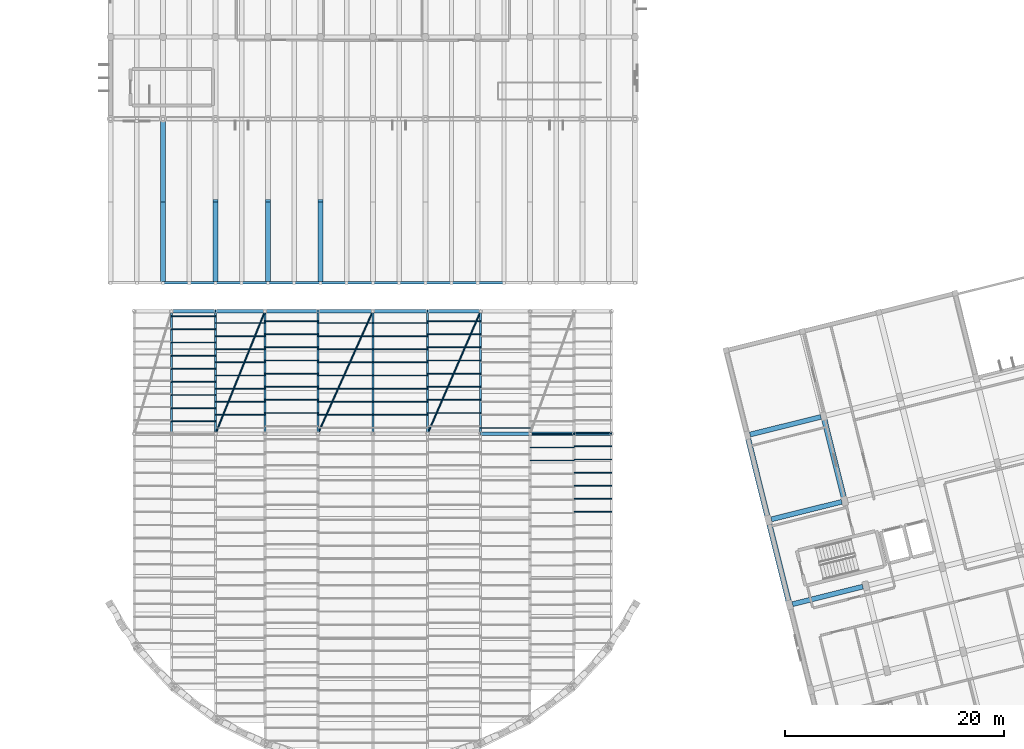
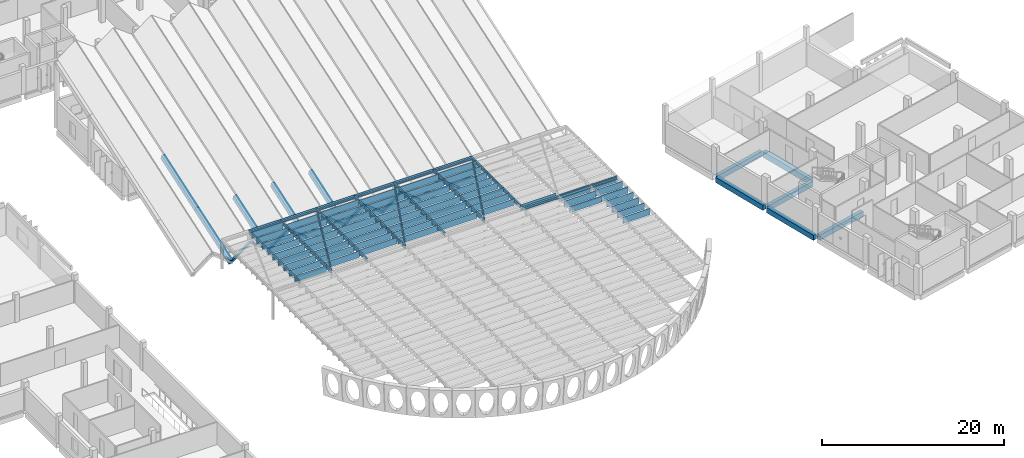
# One storey, part 15 of 47: 76 members, 27 beams.
"""IFC4 building model written with IfcOpenShell, lengths in metres."""

from ifc_helpers import new_model, si_unit, direction, frame, origin, origin_2d, place, context, subcontext, project, spatial, rectangle, hollow_rectangle, hollow_circle, i_section, extrude, material, material_profile, profile_set, type_object, element, save


model = new_model("IFC4")

# Units and contexts
model_context = context("Model", 3, precision=1e-05, world=origin(), true_north=direction((0.0, 1.0)))
body_context = subcontext(model_context, "Body", "Model", "MODEL_VIEW")
ifc_project = project(units=[si_unit("LENGTHUNIT", "METRE"), si_unit("AREAUNIT", "SQUARE_METRE"), si_unit("VOLUMEUNIT", "CUBIC_METRE"), si_unit("PLANEANGLEUNIT", "RADIAN"), si_unit("MASSUNIT", "GRAM", prefix="KILO")], contexts=[model_context])

# Site, building, storey
site_placement = place(None, origin())
site = spatial("IfcSite", under=ifc_project, at=site_placement, CompositionType="ELEMENT")
building_placement = place(site_placement, origin())
building = spatial("IfcBuilding", under=site, at=building_placement, Name="Mawjan Specialist Oncology Clinic", CompositionType="ELEMENT")
storey_placement = place(building_placement, frame((0.0, 0.0, 9.5)))
storey = spatial("IfcBuildingStorey", under=building, at=storey_placement, Name="L02", CompositionType="ELEMENT", Elevation=9.5)

# Beams
ifc_material_1 = material(Name="Concrete C40/50", Category="concrete")
ifc_material_profile_1 = material_profile(ifc_material_1, rectangle(XDim=0.449951171875, YDim=0.699951171875, at=origin_2d()), Name="RC BM 450x700", Category="concrete")
ifc_profile_set_1 = profile_set([ifc_material_profile_1], Name="Concrete C40/50")
beam_type_1 = type_object("IfcBeamType", Name="BM-450x700", PredefinedType="BEAM", material=ifc_profile_set_1)
beam_1_placement = place(storey_placement, frame((122.40576171875, 16.393798828125, -0.64990234375), z_axis=(0.970302579357, 0.241894407734, 0.0), x_axis=(-0.241894407734, 0.970302579357, 0.0)))
element("IfcBeam", 1, at=beam_1_placement, inside=storey, type_object=beam_type_1, Name="L02 Collector Beam BM-L02-0858", PredefinedType="BEAM", context=body_context, shape_type="SweptSolid", body=[
    extrude(rectangle(XDim=0.449951171875, YDim=0.699951171875, at=origin_2d()), origin(), (0.0, 0.0, 1.0), 6.6298828125),
])
beam_2_placement = place(storey_placement, frame((120.470458984375, 24.156005859375, -0.64990234375), z_axis=(0.970293935913, 0.241929076241, 0.0), x_axis=(-0.241929076241, 0.970293935913, 0.0)))
element("IfcBeam", 2, at=beam_2_placement, inside=storey, type_object=beam_type_1, Name="L02 Collector Beam BM-L02-0862", PredefinedType="BEAM", context=body_context, shape_type="SweptSolid", body=[
    extrude(rectangle(XDim=0.449951171875, YDim=0.699951171875, at=origin_2d()), origin(), (0.0, 0.0, 1.0), 6.630126953125),
])
beam_3_placement = place(storey_placement, frame((118.5107421875, 31.912353515625, -0.64990234375), z_axis=(0.970299236251, 0.241907817422, 0.0), x_axis=(-0.241907817422, 0.970299236251, 0.0)))
element("IfcBeam", 3, at=beam_3_placement, inside=storey, type_object=beam_type_1, Name="L02 Collector Beam BM-L02-0866", PredefinedType="BEAM", context=body_context, shape_type="SweptSolid", body=[
    extrude(rectangle(XDim=0.449951171875, YDim=0.699951171875, at=origin_2d()), origin(), (0.0, 0.0, 1.0), 6.68017578125),
])
ifc_material_2 = material(Name="Concrete C45/55", Category="concrete")
ifc_material_profile_2 = material_profile(ifc_material_2, rectangle(XDim=0.5, YDim=0.800048828125, at=origin_2d()), Name="RC BM 500x800", Category="concrete")
ifc_profile_set_2 = profile_set([ifc_material_profile_2], Name="Concrete C45/55")
beam_type_2 = type_object("IfcBeamType", Name="BM-500x800", PredefinedType="BEAM", material=ifc_profile_set_2)
beam_4_placement = place(storey_placement, frame((127.111083984375, 26.10546875, -0.699951171875), z_axis=(-0.241911431445, 0.970298335223, 0.0), x_axis=(-0.970298335223, -0.241911431445, 0.0)))
element("IfcBeam", 4, at=beam_4_placement, inside=storey, type_object=beam_type_2, Name="L02 Collector Beam BM-L02-0879", PredefinedType="BEAM", context=body_context, shape_type="SweptSolid", body=[
    extrude(rectangle(XDim=0.5, YDim=0.800048828125, at=origin_2d()), origin(), (0.0, 0.0, 1.0), 7.455078125),
])

# Members
ifc_material_3 = material(Name="Structural steel S355", Category="steel")
ifc_material_profile_3 = material_profile(ifc_material_3, hollow_circle(Radius=0.084228515625, WallThickness=0.008056640625, at=origin_2d()), Name="CHS 168.3x8", Category="steel")
ifc_profile_set_3 = profile_set([ifc_material_profile_3], Name="Structural steel S355")
member_type_1 = type_object("IfcMemberType", Name="BR-168", PredefinedType="BRACE", material=ifc_profile_set_3)
member_1_placement = place(storey_placement, frame((69.611328125, 32.0, 3.77490234375), z_axis=(0.374229411816, 0.927336156597, 0.0), x_axis=(-0.927336156597, 0.374229411816, 0.0)))
element("IfcMember", 5, at=member_1_placement, inside=storey, type_object=member_type_1, Name="Canopy Wind Brace CB-03", PredefinedType="BRACE", context=body_context, shape_type="SweptSolid", body=[
    extrude(hollow_circle(Radius=0.084228515625, WallThickness=0.008056640625, at=origin_2d()), origin(), (0.0, 0.0, 1.0), 12.07763671875),
])
member_2_placement = place(storey_placement, frame((78.981689453125, 32.0, 3.77490234375), z_axis=(0.408895967786, 0.912581003269, 0.0), x_axis=(-0.912581003269, 0.408895967786, 0.0)))
element("IfcMember", 6, at=member_2_placement, inside=storey, type_object=member_type_1, Name="Canopy Wind Brace CB-05", PredefinedType="BRACE", context=body_context, shape_type="SweptSolid", body=[
    extrude(hollow_circle(Radius=0.084228515625, WallThickness=0.008056640625, at=origin_2d()), origin(), (0.0, 0.0, 1.0), 12.27294921875),
])
member_3_placement = place(storey_placement, frame((89.018310546875, 32.0, 3.77490234375), z_axis=(0.397419374995, 0.917637096231, 0.0), x_axis=(-0.917637096231, 0.397419374995, 0.0)))
element("IfcMember", 7, at=member_3_placement, inside=storey, type_object=member_type_1, Name="Canopy Wind Brace CB-07", PredefinedType="BRACE", context=body_context, shape_type="SweptSolid", body=[
    extrude(hollow_circle(Radius=0.084228515625, WallThickness=0.008056640625, at=origin_2d()), origin(), (0.0, 0.0, 1.0), 12.205322265625),
])
ifc_material_4 = material(Name="Structural steel S355", Category="steel")
ifc_material_profile_4 = material_profile(ifc_material_4, hollow_rectangle(XDim=0.080078125, YDim=0.85009765625, WallThickness=0.006103515625, at=origin_2d()), Name="LOUVRE 850x80x6", Category="steel")
ifc_profile_set_4 = profile_set([ifc_material_profile_4], Name="Structural steel S355")
member_type_2 = type_object("IfcMemberType", Name="LV-850", PredefinedType="PURLIN", material=ifc_profile_set_4)
for number, where, z_axis, x_axis, name in (
    (8, (65.573486328125, 33.13525390625, 3.47509765625), (1.0, 0.0, 0.0), (0.0, 1.0, 0.0), "Canopy Solar Louvre Blade LV-0046"),
    (9, (65.573486328125, 34.335205078125, 3.47509765625), (1.0, 0.0, 0.0), (0.0, 1.0, 0.0), "Canopy Solar Louvre Blade LV-0047"),
    (10, (65.573486328125, 35.53515625, 3.47509765625), (1.0, 0.0, 0.0), (0.0, 1.0, 0.0), "Canopy Solar Louvre Blade LV-0048"),
    (11, (65.573486328125, 36.735107421875, 3.47509765625), (1.0, 0.0, 0.0), (0.0, 1.0, 0.0), "Canopy Solar Louvre Blade LV-0049"),
    (12, (65.573486328125, 37.935302734375, 3.47509765625), (1.0, 0.0, 0.0), (0.0, 1.0, 0.0), "Canopy Solar Louvre Blade LV-0050"),
    (13, (65.573486328125, 39.13525390625, 3.47509765625), (1.0, 0.0, 0.0), (0.0, 1.0, 0.0), "Canopy Solar Louvre Blade LV-0051"),
    (14, (65.573486328125, 40.335205078125, 3.47509765625), (1.0, 0.0, 0.0), (0.0, 1.0, 0.0), "Canopy Solar Louvre Blade LV-0052"),
    (15, (65.573486328125, 41.53515625, 3.47509765625), (1.0, 0.0, 0.0), (0.0, 1.0, 0.0), "Canopy Solar Louvre Blade LV-0053"),
    (16, (65.573486328125, 42.735107421875, 3.47509765625), (1.0, 0.0, 0.0), (0.0, 1.0, 0.0), "Canopy Solar Louvre Blade LV-0054"),
):
    element("IfcMember", number, at=place(storey_placement, frame(where, z_axis=z_axis, x_axis=x_axis)), inside=storey, type_object=member_type_2, Name=name, PredefinedType="PURLIN", context=body_context, shape_type="SweptSolid", body=[
        extrude(hollow_rectangle(XDim=0.080078125, YDim=0.85009765625, WallThickness=0.006103515625, at=origin_2d()), origin(), (0.0, 0.0, 1.0), 4.037841796875),
    ])
for number, where, z_axis, x_axis, name in (
    (17, (69.611328125, 33.719970703125, 3.47509765625), (1.0, 0.0, 0.0), (0.0, 1.0, 0.0), "Canopy Solar Louvre Blade LV-0078"),
    (18, (69.611328125, 34.919921875, 3.47509765625), (1.0, 0.0, 0.0), (0.0, 1.0, 0.0), "Canopy Solar Louvre Blade LV-0079"),
    (19, (69.611328125, 36.119873046875, 3.47509765625), (1.0, 0.0, 0.0), (0.0, 1.0, 0.0), "Canopy Solar Louvre Blade LV-0080"),
    (20, (69.611328125, 37.31982421875, 3.47509765625), (1.0, 0.0, 0.0), (0.0, 1.0, 0.0), "Canopy Solar Louvre Blade LV-0081"),
    (21, (69.611328125, 38.519775390625, 3.47509765625), (1.0, 0.0, 0.0), (0.0, 1.0, 0.0), "Canopy Solar Louvre Blade LV-0082"),
    (22, (69.611328125, 39.719970703125, 3.47509765625), (1.0, 0.0, 0.0), (0.0, 1.0, 0.0), "Canopy Solar Louvre Blade LV-0083"),
    (23, (69.611328125, 40.919921875, 3.47509765625), (1.0, 0.0, 0.0), (0.0, 1.0, 0.0), "Canopy Solar Louvre Blade LV-0084"),
    (24, (69.611328125, 42.119873046875, 3.47509765625), (1.0, 0.0, 0.0), (0.0, 1.0, 0.0), "Canopy Solar Louvre Blade LV-0085"),
):
    element("IfcMember", number, at=place(storey_placement, frame(where, z_axis=z_axis, x_axis=x_axis)), inside=storey, type_object=member_type_2, Name=name, PredefinedType="PURLIN", context=body_context, shape_type="SweptSolid", body=[
        extrude(hollow_rectangle(XDim=0.080078125, YDim=0.85009765625, WallThickness=0.006103515625, at=origin_2d()), origin(), (0.0, 0.0, 1.0), 4.519775390625),
    ])
for number, where, z_axis, x_axis, name in (
    (25, (74.131103515625, 33.890869140625, 3.47509765625), (1.0, 0.0, 0.0), (0.0, 1.0, 0.0), "Canopy Solar Louvre Blade LV-0111"),
    (26, (74.131103515625, 35.0908203125, 3.47509765625), (1.0, 0.0, 0.0), (0.0, 1.0, 0.0), "Canopy Solar Louvre Blade LV-0112"),
    (27, (74.131103515625, 36.291015625, 3.47509765625), (1.0, 0.0, 0.0), (0.0, 1.0, 0.0), "Canopy Solar Louvre Blade LV-0113"),
    (28, (74.131103515625, 37.490966796875, 3.47509765625), (1.0, 0.0, 0.0), (0.0, 1.0, 0.0), "Canopy Solar Louvre Blade LV-0114"),
    (29, (74.131103515625, 38.69091796875, 3.47509765625), (1.0, 0.0, 0.0), (0.0, 1.0, 0.0), "Canopy Solar Louvre Blade LV-0115"),
    (30, (74.131103515625, 39.890869140625, 3.47509765625), (1.0, 0.0, 0.0), (0.0, 1.0, 0.0), "Canopy Solar Louvre Blade LV-0116"),
    (31, (74.131103515625, 41.0908203125, 3.47509765625), (1.0, 0.0, 0.0), (0.0, 1.0, 0.0), "Canopy Solar Louvre Blade LV-0117"),
    (32, (74.131103515625, 42.291015625, 3.47509765625), (1.0, 0.0, 0.0), (0.0, 1.0, 0.0), "Canopy Solar Louvre Blade LV-0118"),
):
    element("IfcMember", number, at=place(storey_placement, frame(where, z_axis=z_axis, x_axis=x_axis)), inside=storey, type_object=member_type_2, Name=name, PredefinedType="PURLIN", context=body_context, shape_type="SweptSolid", body=[
        extrude(hollow_rectangle(XDim=0.080078125, YDim=0.85009765625, WallThickness=0.006103515625, at=origin_2d()), origin(), (0.0, 0.0, 1.0), 4.8505859375),
    ])
for number, where, z_axis, x_axis, name in (
    (33, (78.981689453125, 33.722900390625, 3.47509765625), (1.0, 0.0, 0.0), (0.0, 1.0, 0.0), "Canopy Solar Louvre Blade LV-0145"),
    (34, (78.981689453125, 34.923095703125, 3.47509765625), (1.0, 0.0, 0.0), (0.0, 1.0, 0.0), "Canopy Solar Louvre Blade LV-0146"),
    (35, (78.981689453125, 36.123046875, 3.47509765625), (1.0, 0.0, 0.0), (0.0, 1.0, 0.0), "Canopy Solar Louvre Blade LV-0147"),
    (36, (78.981689453125, 37.322998046875, 3.47509765625), (1.0, 0.0, 0.0), (0.0, 1.0, 0.0), "Canopy Solar Louvre Blade LV-0148"),
    (37, (78.981689453125, 38.52294921875, 3.47509765625), (1.0, 0.0, 0.0), (0.0, 1.0, 0.0), "Canopy Solar Louvre Blade LV-0149"),
    (38, (78.981689453125, 39.722900390625, 3.47509765625), (1.0, 0.0, 0.0), (0.0, 1.0, 0.0), "Canopy Solar Louvre Blade LV-0150"),
    (39, (78.981689453125, 40.923095703125, 3.47509765625), (1.0, 0.0, 0.0), (0.0, 1.0, 0.0), "Canopy Solar Louvre Blade LV-0151"),
    (40, (78.981689453125, 42.123046875, 3.47509765625), (1.0, 0.0, 0.0), (0.0, 1.0, 0.0), "Canopy Solar Louvre Blade LV-0152"),
    (41, (84.0, 33.722900390625, 3.47509765625), (1.0, 0.0, 0.0), (0.0, 1.0, 0.0), "Canopy Solar Louvre Blade LV-0179"),
    (42, (84.0, 34.923095703125, 3.47509765625), (1.0, 0.0, 0.0), (0.0, 1.0, 0.0), "Canopy Solar Louvre Blade LV-0180"),
    (43, (84.0, 36.123046875, 3.47509765625), (1.0, 0.0, 0.0), (0.0, 1.0, 0.0), "Canopy Solar Louvre Blade LV-0181"),
    (44, (84.0, 37.322998046875, 3.47509765625), (1.0, 0.0, 0.0), (0.0, 1.0, 0.0), "Canopy Solar Louvre Blade LV-0182"),
    (45, (84.0, 38.52294921875, 3.47509765625), (1.0, 0.0, 0.0), (0.0, 1.0, 0.0), "Canopy Solar Louvre Blade LV-0183"),
    (46, (84.0, 39.722900390625, 3.47509765625), (1.0, 0.0, 0.0), (0.0, 1.0, 0.0), "Canopy Solar Louvre Blade LV-0184"),
    (47, (84.0, 40.923095703125, 3.47509765625), (1.0, 0.0, 0.0), (0.0, 1.0, 0.0), "Canopy Solar Louvre Blade LV-0185"),
    (48, (84.0, 42.123046875, 3.47509765625), (1.0, 0.0, 0.0), (0.0, 1.0, 0.0), "Canopy Solar Louvre Blade LV-0186"),
):
    element("IfcMember", number, at=place(storey_placement, frame(where, z_axis=z_axis, x_axis=x_axis)), inside=storey, type_object=member_type_2, Name=name, PredefinedType="PURLIN", context=body_context, shape_type="SweptSolid", body=[
        extrude(hollow_rectangle(XDim=0.080078125, YDim=0.85009765625, WallThickness=0.006103515625, at=origin_2d()), origin(), (0.0, 0.0, 1.0), 5.018310546875),
    ])
for number, where, z_axis, x_axis, name in (
    (49, (89.018310546875, 33.890869140625, 3.47509765625), (1.0, 0.0, 0.0), (0.0, 1.0, 0.0), "Canopy Solar Louvre Blade LV-0212"),
    (50, (89.018310546875, 35.0908203125, 3.47509765625), (1.0, 0.0, 0.0), (0.0, 1.0, 0.0), "Canopy Solar Louvre Blade LV-0213"),
    (51, (89.018310546875, 36.291015625, 3.47509765625), (1.0, 0.0, 0.0), (0.0, 1.0, 0.0), "Canopy Solar Louvre Blade LV-0214"),
    (52, (89.018310546875, 37.490966796875, 3.47509765625), (1.0, 0.0, 0.0), (0.0, 1.0, 0.0), "Canopy Solar Louvre Blade LV-0215"),
    (53, (89.018310546875, 38.69091796875, 3.47509765625), (1.0, 0.0, 0.0), (0.0, 1.0, 0.0), "Canopy Solar Louvre Blade LV-0216"),
    (54, (89.018310546875, 39.890869140625, 3.47509765625), (1.0, 0.0, 0.0), (0.0, 1.0, 0.0), "Canopy Solar Louvre Blade LV-0217"),
    (55, (89.018310546875, 41.0908203125, 3.47509765625), (1.0, 0.0, 0.0), (0.0, 1.0, 0.0), "Canopy Solar Louvre Blade LV-0218"),
    (56, (89.018310546875, 42.291015625, 3.47509765625), (1.0, 0.0, 0.0), (0.0, 1.0, 0.0), "Canopy Solar Louvre Blade LV-0219"),
):
    element("IfcMember", number, at=place(storey_placement, frame(where, z_axis=z_axis, x_axis=x_axis)), inside=storey, type_object=member_type_2, Name=name, PredefinedType="PURLIN", context=body_context, shape_type="SweptSolid", body=[
        extrude(hollow_rectangle(XDim=0.080078125, YDim=0.85009765625, WallThickness=0.006103515625, at=origin_2d()), origin(), (0.0, 0.0, 1.0), 4.8505859375),
    ])
member_4_placement = place(storey_placement, frame((93.868896484375, 32.519775390625, 3.47509765625), z_axis=(1.0, 0.0, 0.0), x_axis=(0.0, 1.0, 0.0)))
element("IfcMember", 57, at=member_4_placement, inside=storey, type_object=member_type_2, Name="Canopy Solar Louvre Blade LV-0242", PredefinedType="PURLIN", context=body_context, shape_type="SweptSolid", body=[
    extrude(hollow_rectangle(XDim=0.080078125, YDim=0.85009765625, WallThickness=0.006103515625, at=origin_2d()), origin(), (0.0, 0.0, 1.0), 4.519775390625),
])
for number, where, z_axis, x_axis, name in (
    (58, (98.388671875, 29.53515625, 3.47509765625), (1.0, 0.0, 0.0), (0.0, 1.0, 0.0), "Canopy Solar Louvre Blade LV-0268"),
    (59, (98.388671875, 30.735107421875, 3.47509765625), (1.0, 0.0, 0.0), (0.0, 1.0, 0.0), "Canopy Solar Louvre Blade LV-0269"),
    (60, (98.388671875, 31.935302734375, 3.47509765625), (1.0, 0.0, 0.0), (0.0, 1.0, 0.0), "Canopy Solar Louvre Blade LV-0270"),
):
    element("IfcMember", number, at=place(storey_placement, frame(where, z_axis=z_axis, x_axis=x_axis)), inside=storey, type_object=member_type_2, Name=name, PredefinedType="PURLIN", context=body_context, shape_type="SweptSolid", body=[
        extrude(hollow_rectangle(XDim=0.080078125, YDim=0.85009765625, WallThickness=0.006103515625, at=origin_2d()), origin(), (0.0, 0.0, 1.0), 4.037841796875),
    ])
for number, where, z_axis, x_axis, name in (
    (61, (102.426513671875, 24.8359375, 3.47509765625), (1.0, 0.0, 0.0), (0.0, 1.0, 0.0), "Canopy Solar Louvre Blade LV-0290"),
    (62, (102.426513671875, 26.035888671875, 3.47509765625), (1.0, 0.0, 0.0), (0.0, 1.0, 0.0), "Canopy Solar Louvre Blade LV-0291"),
    (63, (102.426513671875, 27.23583984375, 3.47509765625), (1.0, 0.0, 0.0), (0.0, 1.0, 0.0), "Canopy Solar Louvre Blade LV-0292"),
    (64, (102.426513671875, 28.435791015625, 3.47509765625), (1.0, 0.0, 0.0), (0.0, 1.0, 0.0), "Canopy Solar Louvre Blade LV-0293"),
    (65, (102.426513671875, 29.6357421875, 3.47509765625), (1.0, 0.0, 0.0), (0.0, 1.0, 0.0), "Canopy Solar Louvre Blade LV-0294"),
    (66, (102.426513671875, 30.8359375, 3.47509765625), (1.0, 0.0, 0.0), (0.0, 1.0, 0.0), "Canopy Solar Louvre Blade LV-0295"),
    (67, (102.426513671875, 32.035888671875, 3.47509765625), (1.0, 0.0, 0.0), (0.0, 1.0, 0.0), "Canopy Solar Louvre Blade LV-0296"),
):
    element("IfcMember", number, at=place(storey_placement, frame(where, z_axis=z_axis, x_axis=x_axis)), inside=storey, type_object=member_type_2, Name=name, PredefinedType="PURLIN", context=body_context, shape_type="SweptSolid", body=[
        extrude(hollow_rectangle(XDim=0.080078125, YDim=0.85009765625, WallThickness=0.006103515625, at=origin_2d()), origin(), (0.0, 0.0, 1.0), 3.4208984375),
    ])

# Beams
ifc_material_5 = material(Name="Structural steel S355", Category="steel")
ifc_material_profile_5 = material_profile(ifc_material_5, i_section(OverallWidth=0.300048828125, OverallDepth=0.35009765625, WebThickness=0.010009765625, FlangeThickness=0.017578125, FilletRadius=0.027099609375, at=origin_2d()), Name="HEA 360", Category="steel")
ifc_profile_set_5 = profile_set([ifc_material_profile_5], Name="Structural steel S355")
beam_type_3 = type_object("IfcBeamType", Name="SB-HEA360", PredefinedType="BEAM", material=ifc_profile_set_5)
beam_5_placement = place(storey_placement, frame((93.868896484375, 32.0, 3.699951171875), z_axis=(1.0, 0.0, 0.0), x_axis=(0.0, 1.0, 0.0)))
element("IfcBeam", 68, at=beam_5_placement, inside=storey, type_object=beam_type_3, Name="Courtyard Canopy Spine Girder 93", PredefinedType="BEAM", context=body_context, shape_type="SweptSolid", body=[
    extrude(i_section(OverallWidth=0.300048828125, OverallDepth=0.35009765625, WebThickness=0.010009765625, FlangeThickness=0.017578125, FilletRadius=0.027099609375, at=origin_2d()), origin(), (0.0, 0.0, 1.0), 4.519775390625),
])
beam_6_placement = place(storey_placement, frame((98.388671875, 32.0, 3.699951171875), z_axis=(1.0, 0.0, 0.0), x_axis=(0.0, 1.0, 0.0)))
element("IfcBeam", 69, at=beam_6_placement, inside=storey, type_object=beam_type_3, Name="Courtyard Canopy Spine Girder 98", PredefinedType="BEAM", context=body_context, shape_type="SweptSolid", body=[
    extrude(i_section(OverallWidth=0.300048828125, OverallDepth=0.35009765625, WebThickness=0.010009765625, FlangeThickness=0.017578125, FilletRadius=0.027099609375, at=origin_2d()), origin(), (0.0, 0.0, 1.0), 4.037841796875),
])
beam_7_placement = place(storey_placement, frame((102.426513671875, 32.0, 3.699951171875), z_axis=(1.0, 0.0, 0.0), x_axis=(0.0, 1.0, 0.0)))
element("IfcBeam", 70, at=beam_7_placement, inside=storey, type_object=beam_type_3, Name="Courtyard Canopy Spine Girder 102", PredefinedType="BEAM", context=body_context, shape_type="SweptSolid", body=[
    extrude(i_section(OverallWidth=0.300048828125, OverallDepth=0.35009765625, WebThickness=0.010009765625, FlangeThickness=0.017578125, FilletRadius=0.027099609375, at=origin_2d()), origin(), (0.0, 0.0, 1.0), 3.4208984375),
])
beam_8_placement = place(storey_placement, frame((65.573486328125, 43.199951171875, 3.699951171875), z_axis=(1.0, 0.0, 0.0), x_axis=(0.0, 1.0, 0.0)))
element("IfcBeam", 71, at=beam_8_placement, inside=storey, type_object=beam_type_3, Name="Courtyard Canopy North Header 65", PredefinedType="BEAM", context=body_context, shape_type="SweptSolid", body=[
    extrude(i_section(OverallWidth=0.300048828125, OverallDepth=0.35009765625, WebThickness=0.010009765625, FlangeThickness=0.017578125, FilletRadius=0.027099609375, at=origin_2d()), origin(), (0.0, 0.0, 1.0), 4.037841796875),
])
beam_9_placement = place(storey_placement, frame((69.611328125, 43.199951171875, 3.699951171875), z_axis=(1.0, 0.0, 0.0), x_axis=(0.0, 1.0, 0.0)))
element("IfcBeam", 72, at=beam_9_placement, inside=storey, type_object=beam_type_3, Name="Courtyard Canopy North Header 69", PredefinedType="BEAM", context=body_context, shape_type="SweptSolid", body=[
    extrude(i_section(OverallWidth=0.300048828125, OverallDepth=0.35009765625, WebThickness=0.010009765625, FlangeThickness=0.017578125, FilletRadius=0.027099609375, at=origin_2d()), origin(), (0.0, 0.0, 1.0), 4.519775390625),
])
beam_10_placement = place(storey_placement, frame((74.131103515625, 43.199951171875, 3.699951171875), z_axis=(1.0, 0.0, 0.0), x_axis=(0.0, 1.0, 0.0)))
element("IfcBeam", 73, at=beam_10_placement, inside=storey, type_object=beam_type_3, Name="Courtyard Canopy North Header 74", PredefinedType="BEAM", context=body_context, shape_type="SweptSolid", body=[
    extrude(i_section(OverallWidth=0.300048828125, OverallDepth=0.35009765625, WebThickness=0.010009765625, FlangeThickness=0.017578125, FilletRadius=0.027099609375, at=origin_2d()), origin(), (0.0, 0.0, 1.0), 4.8505859375),
])
for number, where, z_axis, x_axis, name in (
    (74, (78.981689453125, 43.199951171875, 3.699951171875), (1.0, 0.0, 0.0), (0.0, 1.0, 0.0), "Courtyard Canopy North Header 78"),
    (75, (84.0, 43.199951171875, 3.699951171875), (1.0, 0.0, 0.0), (0.0, 1.0, 0.0), "Courtyard Canopy North Header 84"),
):
    element("IfcBeam", number, at=place(storey_placement, frame(where, z_axis=z_axis, x_axis=x_axis)), inside=storey, type_object=beam_type_3, Name=name, PredefinedType="BEAM", context=body_context, shape_type="SweptSolid", body=[
        extrude(i_section(OverallWidth=0.300048828125, OverallDepth=0.35009765625, WebThickness=0.010009765625, FlangeThickness=0.017578125, FilletRadius=0.027099609375, at=origin_2d()), origin(), (0.0, 0.0, 1.0), 5.018310546875),
    ])
beam_11_placement = place(storey_placement, frame((89.018310546875, 43.199951171875, 3.699951171875), z_axis=(1.0, 0.0, 0.0), x_axis=(0.0, 1.0, 0.0)))
element("IfcBeam", 76, at=beam_11_placement, inside=storey, type_object=beam_type_3, Name="Courtyard Canopy North Header 89", PredefinedType="BEAM", context=body_context, shape_type="SweptSolid", body=[
    extrude(i_section(OverallWidth=0.300048828125, OverallDepth=0.35009765625, WebThickness=0.010009765625, FlangeThickness=0.017578125, FilletRadius=0.027099609375, at=origin_2d()), origin(), (0.0, 0.0, 1.0), 4.8505859375),
])
ifc_material_6 = material(Name="Structural steel S355", Category="steel")
ifc_material_profile_6 = material_profile(ifc_material_6, i_section(OverallWidth=0.179931640625, OverallDepth=0.39990234375, WebThickness=0.008544921875, FlangeThickness=0.013427734375, FilletRadius=0.02099609375, at=origin_2d()), Name="IPE 400", Category="steel")
ifc_profile_set_6 = profile_set([ifc_material_profile_6], Name="Structural steel S355")
beam_type_4 = type_object("IfcBeamType", Name="SB-IPE400", PredefinedType="BEAM", material=ifc_profile_set_6)
for number, where, z_axis, x_axis, name in (
    (77, (65.573486328125, 32.0, 3.699951171875), (0.0, 1.0, 0.0), (-1.0, 0.0, 0.0), "Courtyard Canopy North Rafter CRN-02"),
    (78, (69.611328125, 32.0, 3.699951171875), (0.0, 1.0, 0.0), (-1.0, 0.0, 0.0), "Courtyard Canopy North Rafter CRN-03"),
    (79, (74.131103515625, 32.0, 3.699951171875), (0.0, 1.0, 0.0), (-1.0, 0.0, 0.0), "Courtyard Canopy North Rafter CRN-04"),
    (80, (78.981689453125, 32.0, 3.699951171875), (0.0, 1.0, 0.0), (-1.0, 0.0, 0.0), "Courtyard Canopy North Rafter CRN-05"),
    (81, (84.0, 32.0, 3.699951171875), (0.0, 1.0, 0.0), (-1.0, 0.0, 0.0), "Courtyard Canopy North Rafter CRN-06"),
    (82, (89.018310546875, 32.0, 3.699951171875), (0.0, 1.0, 0.0), (-1.0, 0.0, 0.0), "Courtyard Canopy North Rafter CRN-07"),
    (83, (93.868896484375, 32.0, 3.699951171875), (0.0, 1.0, 0.0), (-1.0, 0.0, 0.0), "Courtyard Canopy North Rafter CRN-08"),
):
    element("IfcBeam", number, at=place(storey_placement, frame(where, z_axis=z_axis, x_axis=x_axis)), inside=storey, type_object=beam_type_4, Name=name, PredefinedType="BEAM", context=body_context, shape_type="SweptSolid", body=[
        extrude(i_section(OverallWidth=0.179931640625, OverallDepth=0.39990234375, WebThickness=0.008544921875, FlangeThickness=0.013427734375, FilletRadius=0.02099609375, at=origin_2d()), origin(), (0.0, 0.0, 1.0), 11.199951171875),
    ])
ifc_material_7 = material(Name="Concrete C45/55", Category="concrete")
ifc_material_profile_7 = material_profile(ifc_material_7, rectangle(XDim=0.5, YDim=0.699951171875, at=origin_2d()), Name="RC BM 500x700", Category="concrete")
ifc_profile_set_7 = profile_set([ifc_material_profile_7], Name="Concrete C45/55")
beam_type_5 = type_object("IfcBeamType", Name="SP-500x700", PredefinedType="SPANDREL", material=ifc_profile_set_7)
beam_12_placement = place(storey_placement, frame((122.060302734375, 16.601318359375, -0.64990234375), z_axis=(-0.241909317102, 0.970298862361, 0.0), x_axis=(-0.970298862361, -0.241909317102, 0.0)))
element("IfcBeam", 84, at=beam_12_placement, inside=storey, type_object=beam_type_5, Name="L02 Spandrel Beam BM-L02-0875", PredefinedType="SPANDREL", context=body_context, shape_type="SweptSolid", body=[
    extrude(rectangle(XDim=0.5, YDim=0.699951171875, at=origin_2d()), origin(), (0.0, 0.0, 1.0), 7.429931640625),
])
beam_13_placement = place(storey_placement, frame((120.125, 24.363525390625, -0.64990234375), z_axis=(-0.241942262878, 0.970290647916, 0.0), x_axis=(-0.970290647916, -0.241942262878, 0.0)))
element("IfcBeam", 85, at=beam_13_placement, inside=storey, type_object=beam_type_5, Name="L02 Spandrel Beam BM-L02-0876", PredefinedType="SPANDREL", context=body_context, shape_type="SweptSolid", body=[
    extrude(rectangle(XDim=0.5, YDim=0.699951171875, at=origin_2d()), origin(), (0.0, 0.0, 1.0), 7.455078125),
])

# Members
ifc_material_8 = material(Name="Structural steel S355", Category="steel")
ifc_material_profile_8 = material_profile(ifc_material_8, hollow_rectangle(XDim=0.25, YDim=0.25, WallThickness=0.011962890625, at=origin_2d()), Name="SHS 250x250x12", Category="steel")
ifc_profile_set_8 = profile_set([ifc_material_profile_8], Name="Structural steel S355")
member_type_3 = type_object("IfcMemberType", Name="ST-SHS250", PredefinedType="STRUT", material=ifc_profile_set_8)
member_5_placement = place(storey_placement, frame((64.800048828125, 45.800048828125, -1.659912109375), z_axis=(0.793619355454, 0.0, 0.608414594375), x_axis=(0.0, 1.0, 0.0)))
element("IfcMember", 86, at=member_5_placement, inside=storey, type_object=member_type_3, Name="Folded-Plate S Gable Strut 2A", PredefinedType="STRUT", context=body_context, shape_type="SweptSolid", body=[
    extrude(hollow_rectangle(XDim=0.25, YDim=0.25, WallThickness=0.011962890625, at=origin_2d()), origin(), (0.0, 0.0, 1.0), 3.02392578125),
])
member_6_placement = place(storey_placement, frame((69.60009765625, 45.800048828125, -1.659912109375), z_axis=(-0.793649237907, 0.0, 0.608375613556), x_axis=(0.0, -1.0, 0.0)))
element("IfcMember", 87, at=member_6_placement, inside=storey, type_object=member_type_3, Name="Folded-Plate S Gable Strut 2B", PredefinedType="STRUT", context=body_context, shape_type="SweptSolid", body=[
    extrude(hollow_rectangle(XDim=0.25, YDim=0.25, WallThickness=0.011962890625, at=origin_2d()), origin(), (0.0, 0.0, 1.0), 3.024169921875),
])
for number, where, z_axis, x_axis, name in (
    (88, (69.60009765625, 45.800048828125, -1.659912109375), (0.793619355454, 0.0, 0.608414594375), (0.0, 1.0, 0.0), "Folded-Plate S Gable Strut 3A"),
    (89, (74.39990234375, 45.800048828125, -1.659912109375), (-0.793619355454, 0.0, 0.608414594375), (0.0, -1.0, 0.0), "Folded-Plate S Gable Strut 3B"),
):
    element("IfcMember", number, at=place(storey_placement, frame(where, z_axis=z_axis, x_axis=x_axis)), inside=storey, type_object=member_type_3, Name=name, PredefinedType="STRUT", context=body_context, shape_type="SweptSolid", body=[
        extrude(hollow_rectangle(XDim=0.25, YDim=0.25, WallThickness=0.011962890625, at=origin_2d()), origin(), (0.0, 0.0, 1.0), 3.02392578125),
    ])
member_7_placement = place(storey_placement, frame((74.39990234375, 45.800048828125, -1.659912109375), z_axis=(0.793649237907, 0.0, 0.608375613556), x_axis=(0.0, 1.0, 0.0)))
element("IfcMember", 90, at=member_7_placement, inside=storey, type_object=member_type_3, Name="Folded-Plate S Gable Strut 4A", PredefinedType="STRUT", context=body_context, shape_type="SweptSolid", body=[
    extrude(hollow_rectangle(XDim=0.25, YDim=0.25, WallThickness=0.011962890625, at=origin_2d()), origin(), (0.0, 0.0, 1.0), 3.024169921875),
])
member_8_placement = place(storey_placement, frame((79.199951171875, 45.800048828125, -1.659912109375), z_axis=(-0.793619355454, 0.0, 0.608414594375), x_axis=(0.0, -1.0, 0.0)))
element("IfcMember", 91, at=member_8_placement, inside=storey, type_object=member_type_3, Name="Folded-Plate S Gable Strut 4B", PredefinedType="STRUT", context=body_context, shape_type="SweptSolid", body=[
    extrude(hollow_rectangle(XDim=0.25, YDim=0.25, WallThickness=0.011962890625, at=origin_2d()), origin(), (0.0, 0.0, 1.0), 3.02392578125),
])
member_9_placement = place(storey_placement, frame((79.199951171875, 45.800048828125, -1.659912109375), z_axis=(0.793649237907, 0.0, 0.608375613556), x_axis=(0.0, 1.0, 0.0)))
element("IfcMember", 92, at=member_9_placement, inside=storey, type_object=member_type_3, Name="Folded-Plate S Gable Strut 5A", PredefinedType="STRUT", context=body_context, shape_type="SweptSolid", body=[
    extrude(hollow_rectangle(XDim=0.25, YDim=0.25, WallThickness=0.011962890625, at=origin_2d()), origin(), (0.0, 0.0, 1.0), 3.024169921875),
])
for number, where, z_axis, x_axis, name in (
    (93, (84.0, 45.800048828125, -1.659912109375), (-0.793619355454, 0.0, 0.608414594375), (0.0, -1.0, 0.0), "Folded-Plate S Gable Strut 5B"),
    (94, (84.0, 45.800048828125, -1.659912109375), (0.793619355454, 0.0, 0.608414594375), (0.0, 1.0, 0.0), "Folded-Plate S Gable Strut 6A"),
):
    element("IfcMember", number, at=place(storey_placement, frame(where, z_axis=z_axis, x_axis=x_axis)), inside=storey, type_object=member_type_3, Name=name, PredefinedType="STRUT", context=body_context, shape_type="SweptSolid", body=[
        extrude(hollow_rectangle(XDim=0.25, YDim=0.25, WallThickness=0.011962890625, at=origin_2d()), origin(), (0.0, 0.0, 1.0), 3.02392578125),
    ])
member_10_placement = place(storey_placement, frame((88.800048828125, 45.800048828125, -1.659912109375), z_axis=(-0.793649237907, 0.0, 0.608375613556), x_axis=(0.0, -1.0, 0.0)))
element("IfcMember", 95, at=member_10_placement, inside=storey, type_object=member_type_3, Name="Folded-Plate S Gable Strut 6B", PredefinedType="STRUT", context=body_context, shape_type="SweptSolid", body=[
    extrude(hollow_rectangle(XDim=0.25, YDim=0.25, WallThickness=0.011962890625, at=origin_2d()), origin(), (0.0, 0.0, 1.0), 3.024169921875),
])
member_11_placement = place(storey_placement, frame((88.800048828125, 45.800048828125, -1.659912109375), z_axis=(0.793619355454, 0.0, 0.608414594375), x_axis=(0.0, 1.0, 0.0)))
element("IfcMember", 96, at=member_11_placement, inside=storey, type_object=member_type_3, Name="Folded-Plate S Gable Strut 7A", PredefinedType="STRUT", context=body_context, shape_type="SweptSolid", body=[
    extrude(hollow_rectangle(XDim=0.25, YDim=0.25, WallThickness=0.011962890625, at=origin_2d()), origin(), (0.0, 0.0, 1.0), 3.02392578125),
])
member_12_placement = place(storey_placement, frame((93.60009765625, 45.800048828125, -1.659912109375), z_axis=(-0.793649237907, 0.0, 0.608375613556), x_axis=(0.0, -1.0, 0.0)))
element("IfcMember", 97, at=member_12_placement, inside=storey, type_object=member_type_3, Name="Folded-Plate S Gable Strut 7B", PredefinedType="STRUT", context=body_context, shape_type="SweptSolid", body=[
    extrude(hollow_rectangle(XDim=0.25, YDim=0.25, WallThickness=0.011962890625, at=origin_2d()), origin(), (0.0, 0.0, 1.0), 3.024169921875),
])
member_13_placement = place(storey_placement, frame((93.60009765625, 45.800048828125, -1.659912109375), z_axis=(0.793619355454, 0.0, 0.608414594375), x_axis=(0.0, 1.0, 0.0)))
element("IfcMember", 98, at=member_13_placement, inside=storey, type_object=member_type_3, Name="Folded-Plate S Gable Strut 8A", PredefinedType="STRUT", context=body_context, shape_type="SweptSolid", body=[
    extrude(hollow_rectangle(XDim=0.25, YDim=0.25, WallThickness=0.011962890625, at=origin_2d()), origin(), (0.0, 0.0, 1.0), 3.02392578125),
])

# Beams
ifc_material_9 = material(Name="Concrete C45/55", Category="concrete")
ifc_material_profile_9 = material_profile(ifc_material_9, rectangle(XDim=0.449951171875, YDim=0.64990234375, at=origin_2d()), Name="RC VALLEY 450x650", Category="concrete")
ifc_profile_set_9 = profile_set([ifc_material_profile_9], Name="Concrete C45/55")
beam_type_6 = type_object("IfcBeamType", Name="VB-FP", PredefinedType="BEAM", material=ifc_profile_set_9)
for number, where, z_axis, x_axis, name in (
    (99, (64.800048828125, 45.800048828125, -1.659912109375), (0.0, 0.946780258859, 0.321880632276), (-1.0, 0.0, 0.0), "Folded-Plate Roof Valley Chord VB-02-1"),
    (100, (64.800048828125, 53.300048828125, 0.889892578125), (0.0, 0.946770866248, 0.321908258397), (-1.0, 0.0, 0.0), "Folded-Plate Roof Valley Chord VB-02-2"),
    (101, (69.60009765625, 45.800048828125, -1.659912109375), (0.0, 0.946780258859, 0.321880632276), (-1.0, 0.0, 0.0), "Folded-Plate Roof Valley Chord VB-03-1"),
    (102, (74.39990234375, 45.800048828125, -1.659912109375), (0.0, 0.946780258859, 0.321880632276), (-1.0, 0.0, 0.0), "Folded-Plate Roof Valley Chord VB-04-1"),
    (103, (79.199951171875, 45.800048828125, -1.659912109375), (0.0, 0.946780258859, 0.321880632276), (-1.0, 0.0, 0.0), "Folded-Plate Roof Valley Chord VB-05-1"),
):
    element("IfcBeam", number, at=place(storey_placement, frame(where, z_axis=z_axis, x_axis=x_axis)), inside=storey, type_object=beam_type_6, Name=name, PredefinedType="BEAM", context=body_context, shape_type="SweptSolid", body=[
        extrude(rectangle(XDim=0.449951171875, YDim=0.64990234375, at=origin_2d()), origin(), (0.0, 0.0, 1.0), 7.921630859375),
    ])

save(model, "model.ifc")
